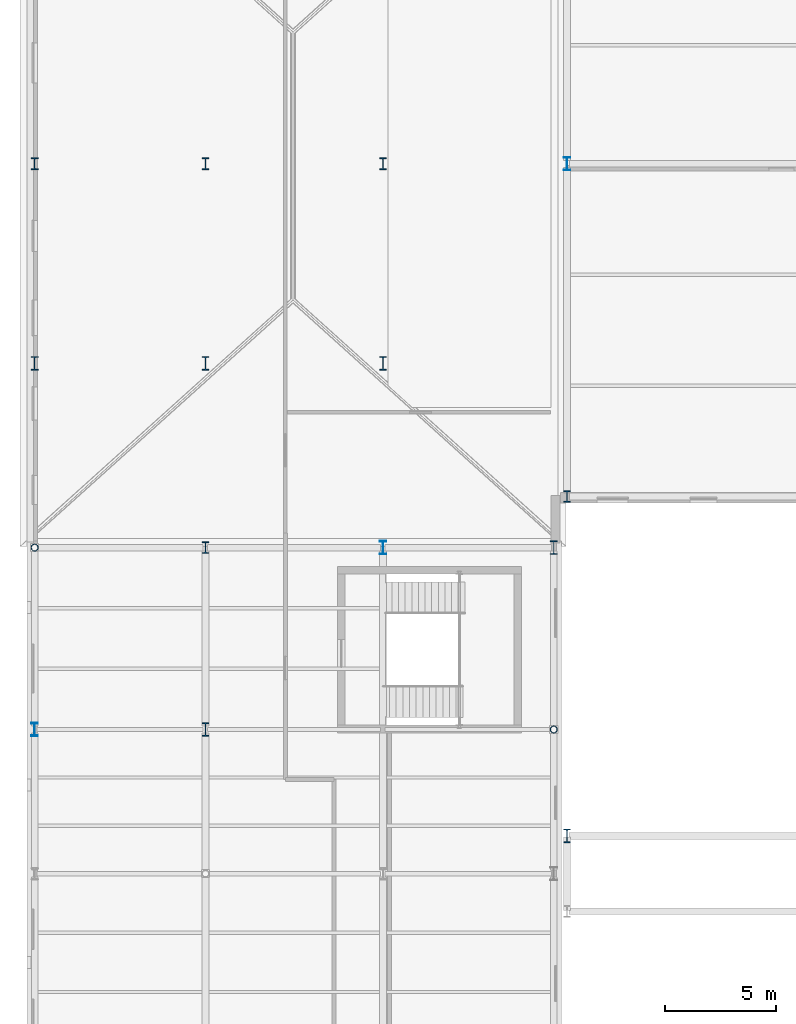
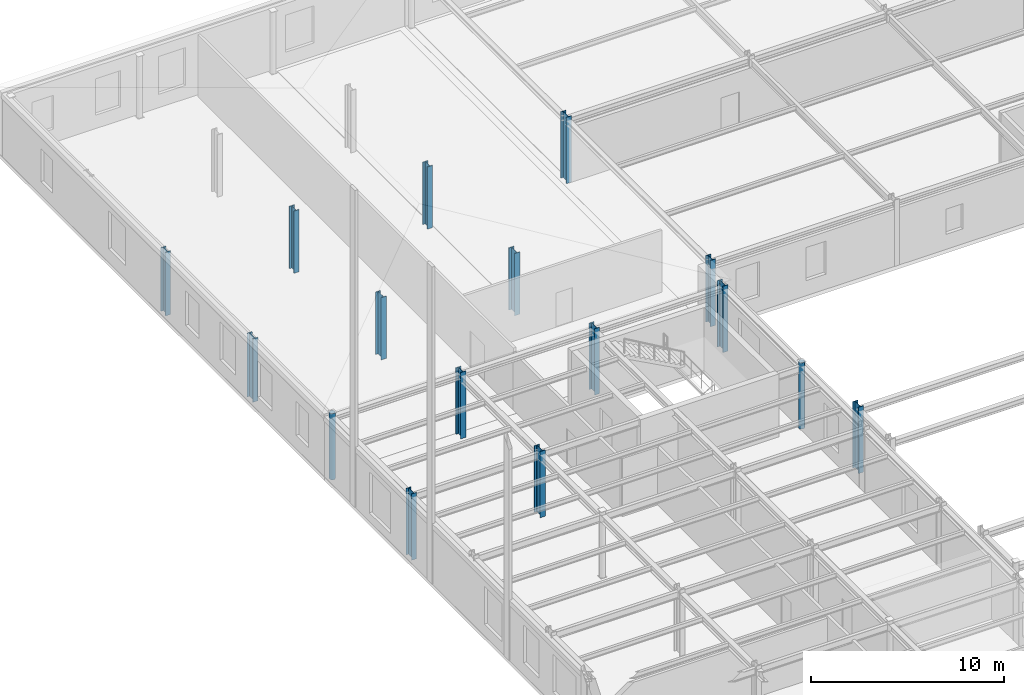
# One storey, part 8 of 148: 16 columns.
"""IFC4 building model written with IfcOpenShell, lengths in metres."""

from ifc_helpers import new_model, si_unit, direction, frame, origin, origin_2d, place, context, subcontext, project, spatial, hollow_circle, i_section, extrude, material, material_profile, profile_set, type_object, element, save


model = new_model("IFC4")

# Units and contexts
model_context = context("Model", 3, precision=1e-05, world=origin(), true_north=direction((0.0, 1.0)))
body_context = subcontext(model_context, "Body", "Model", "MODEL_VIEW")
ifc_project = project(units=[si_unit("LENGTHUNIT", "METRE"), si_unit("AREAUNIT", "SQUARE_METRE"), si_unit("VOLUMEUNIT", "CUBIC_METRE"), si_unit("PLANEANGLEUNIT", "RADIAN"), si_unit("MASSUNIT", "GRAM", prefix="KILO"), si_unit("THERMODYNAMICTEMPERATUREUNIT", "KELVIN"), si_unit("POWERUNIT", "WATT")], contexts=[model_context])

# Site, building, storey
site_placement = place(None, origin())
site = spatial("IfcSite", under=ifc_project, at=site_placement, CompositionType="ELEMENT")
building_placement = place(site_placement, origin())
building = spatial("IfcBuilding", under=site, at=building_placement, Name="Solvatero Civic Police Headquarters", CompositionType="ELEMENT")
storey_placement = place(building_placement, frame((0.0, 0.0, 5.10009765625)))
storey = spatial("IfcBuildingStorey", under=building, at=storey_placement, Name="L01", CompositionType="ELEMENT", Elevation=5.10009765625)

# Columns
ifc_material = material(Name="Steel S355", Category="steel")
ifc_material_profile_1 = material_profile(ifc_material, hollow_circle(Radius=0.161865234375, WallThickness=0.01611328125, at=origin_2d()), Name="CHS 323.9x16.0")
ifc_profile_set_1 = profile_set([ifc_material_profile_1], Name="Steel S355")
column_type_1 = type_object("IfcColumnType", Name="COL-ST-CHS324", PredefinedType="COLUMN", material=ifc_profile_set_1)
for number, where, z_axis, x_axis, name in (
    (1, (4.800048828125, 83.199951171875, 0.0), (0.0, 0.0, 1.0), (1.0, 0.0, 0.0), "Column V6-X1Y6 L01"),
    (2, (28.199951171875, 75.0, 0.0), (0.0, 0.0, 1.0), (1.0, 0.0, 0.0), "Column V6-X4Y5 L01"),
):
    element("IfcColumn", number, at=place(storey_placement, frame(where, z_axis=z_axis, x_axis=x_axis)), inside=storey, type_object=column_type_1, Name=name, PredefinedType="COLUMN", context=body_context, shape_type="SweptSolid", body=[
        extrude(hollow_circle(Radius=0.161865234375, WallThickness=0.01611328125, at=origin_2d()), origin(), (0.0, 0.0, 1.0), 4.199951171875),
    ])
ifc_material_profile_2 = material_profile(ifc_material, i_section(OverallWidth=0.300048828125, OverallDepth=0.60009765625, WebThickness=0.015380859375, FlangeThickness=0.030029296875, FilletRadius=0.027099609375, at=origin_2d()), Name="HEB 600")
ifc_profile_set_2 = profile_set([ifc_material_profile_2], Name="Steel S355")
column_type_2 = type_object("IfcColumnType", Name="COL-ST-HEB600", PredefinedType="COLUMN", material=ifc_profile_set_2)
for number, where, z_axis, x_axis, name in (
    (3, (4.800048828125, 75.0, 0.0), (0.0, 0.0, 1.0), (1.0, 0.0, 0.0), "Column V6-X1Y5 L01"),
    (4, (20.5, 83.199951171875, 0.0), (0.0, 0.0, 1.0), (1.0, 0.0, 0.0), "Column V6-X3Y6 L01"),
    (5, (28.800048828125, 100.5, 0.0), (0.0, 0.0, 1.0), (1.0, 0.0, 0.0), "Column V7-X1Y2 L01"),
):
    element("IfcColumn", number, at=place(storey_placement, frame(where, z_axis=z_axis, x_axis=x_axis)), inside=storey, type_object=column_type_2, Name=name, PredefinedType="COLUMN", context=body_context, shape_type="SweptSolid", body=[
        extrude(i_section(OverallWidth=0.300048828125, OverallDepth=0.60009765625, WebThickness=0.015380859375, FlangeThickness=0.030029296875, FilletRadius=0.027099609375, at=origin_2d()), origin(), (0.0, 0.0, 1.0), 4.199951171875),
    ])
ifc_material_profile_3 = material_profile(ifc_material, i_section(OverallWidth=0.305908203125, OverallDepth=0.52392578125, WebThickness=0.02099609375, FlangeThickness=0.0400390625, FilletRadius=0.027099609375, at=origin_2d()), Name="HEM 500")
ifc_profile_set_3 = profile_set([ifc_material_profile_3], Name="Steel S355")
column_type_3 = type_object("IfcColumnType", Name="COL-ST-HEM500", PredefinedType="COLUMN", material=ifc_profile_set_3)
for number, where, z_axis, x_axis, name in (
    (6, (12.5, 83.199951171875, 0.0), (0.0, 0.0, 1.0), (1.0, 0.0, 0.0), "Column V6-X2Y6 L01"),
    (7, (28.800048828125, 85.5, 0.0), (0.0, 0.0, 1.0), (1.0, 0.0, 0.0), "Column V7-X1Y1 L01"),
):
    element("IfcColumn", number, at=place(storey_placement, frame(where, z_axis=z_axis, x_axis=x_axis)), inside=storey, type_object=column_type_3, Name=name, PredefinedType="COLUMN", context=body_context, shape_type="SweptSolid", body=[
        extrude(i_section(OverallWidth=0.305908203125, OverallDepth=0.52392578125, WebThickness=0.02099609375, FlangeThickness=0.0400390625, FilletRadius=0.027099609375, at=origin_2d()), origin(), (0.0, 0.0, 1.0), 4.199951171875),
    ])
column_1_placement = place(storey_placement, frame((4.800048828125, 100.5, 0.0), z_axis=(0.0, 0.0, 1.0), x_axis=(1.0, 0.0, 0.0)))
element("IfcColumn", 8, at=column_1_placement, inside=storey, type_object=column_type_3, Name="Column V7NW-X1Y2 L01", PredefinedType="COLUMN", context=body_context, shape_type="SweptSolid", body=[
    extrude(i_section(OverallWidth=0.305908203125, OverallDepth=0.52392578125, WebThickness=0.02099609375, FlangeThickness=0.0400390625, FilletRadius=0.027099609375, at=origin_2d()), origin(), (0.0, 0.0, 1.0), 4.02001953125),
])
for number, where, z_axis, x_axis, name in (
    (9, (12.5, 100.5, 0.0), (0.0, 0.0, 1.0), (1.0, 0.0, 0.0), "Column V7NW-X2Y2 L01"),
    (10, (20.5, 100.5, 0.0), (0.0, 0.0, 1.0), (1.0, 0.0, 0.0), "Column V7NW-X3Y2 L01"),
):
    element("IfcColumn", number, at=place(storey_placement, frame(where, z_axis=z_axis, x_axis=x_axis)), inside=storey, type_object=column_type_3, Name=name, PredefinedType="COLUMN", context=body_context, shape_type="SweptSolid", body=[
        extrude(i_section(OverallWidth=0.305908203125, OverallDepth=0.52392578125, WebThickness=0.02099609375, FlangeThickness=0.0400390625, FilletRadius=0.027099609375, at=origin_2d()), origin(), (0.0, 0.0, 1.0), 3.93994140625),
    ])
ifc_material_profile_4 = material_profile(ifc_material, i_section(OverallWidth=0.304931640625, OverallDepth=0.6201171875, WebThickness=0.02099609375, FlangeThickness=0.0400390625, FilletRadius=0.027099609375, at=origin_2d()), Name="HEM 600")
ifc_profile_set_4 = profile_set([ifc_material_profile_4], Name="Steel S355")
column_type_4 = type_object("IfcColumnType", Name="COL-ST-HEM600", PredefinedType="COLUMN", material=ifc_profile_set_4)
for number, where, z_axis, x_axis, name in (
    (11, (28.800048828125, 70.199951171875, 0.0), (0.0, 0.0, 1.0), (1.0, 0.0, 0.0), "Column SB2-W-N L01"),
    (12, (12.5, 75.0, 0.0), (0.0, 0.0, 1.0), (1.0, 0.0, 0.0), "Column V6-X2Y5 L01"),
    (13, (28.199951171875, 83.199951171875, 0.0), (0.0, 0.0, 1.0), (1.0, 0.0, 0.0), "Column V6-X4Y6 L01"),
):
    element("IfcColumn", number, at=place(storey_placement, frame(where, z_axis=z_axis, x_axis=x_axis)), inside=storey, type_object=column_type_4, Name=name, PredefinedType="COLUMN", context=body_context, shape_type="SweptSolid", body=[
        extrude(i_section(OverallWidth=0.304931640625, OverallDepth=0.6201171875, WebThickness=0.02099609375, FlangeThickness=0.0400390625, FilletRadius=0.027099609375, at=origin_2d()), origin(), (0.0, 0.0, 1.0), 4.199951171875),
    ])
column_2_placement = place(storey_placement, frame((4.800048828125, 91.5, 0.0), z_axis=(0.0, 0.0, 1.0), x_axis=(1.0, 0.0, 0.0)))
element("IfcColumn", 14, at=column_2_placement, inside=storey, type_object=column_type_4, Name="Column V7NW-X1Y1 L01", PredefinedType="COLUMN", context=body_context, shape_type="SweptSolid", body=[
    extrude(i_section(OverallWidth=0.304931640625, OverallDepth=0.6201171875, WebThickness=0.02099609375, FlangeThickness=0.0400390625, FilletRadius=0.027099609375, at=origin_2d()), origin(), (0.0, 0.0, 1.0), 4.02001953125),
])
for number, where, z_axis, x_axis, name in (
    (15, (12.5, 91.5, 0.0), (0.0, 0.0, 1.0), (1.0, 0.0, 0.0), "Column V7NW-X2Y1 L01"),
    (16, (20.5, 91.5, 0.0), (0.0, 0.0, 1.0), (1.0, 0.0, 0.0), "Column V7NW-X3Y1 L01"),
):
    element("IfcColumn", number, at=place(storey_placement, frame(where, z_axis=z_axis, x_axis=x_axis)), inside=storey, type_object=column_type_4, Name=name, PredefinedType="COLUMN", context=body_context, shape_type="SweptSolid", body=[
        extrude(i_section(OverallWidth=0.304931640625, OverallDepth=0.6201171875, WebThickness=0.02099609375, FlangeThickness=0.0400390625, FilletRadius=0.027099609375, at=origin_2d()), origin(), (0.0, 0.0, 1.0), 3.93994140625),
    ])

save(model, "model.ifc")
